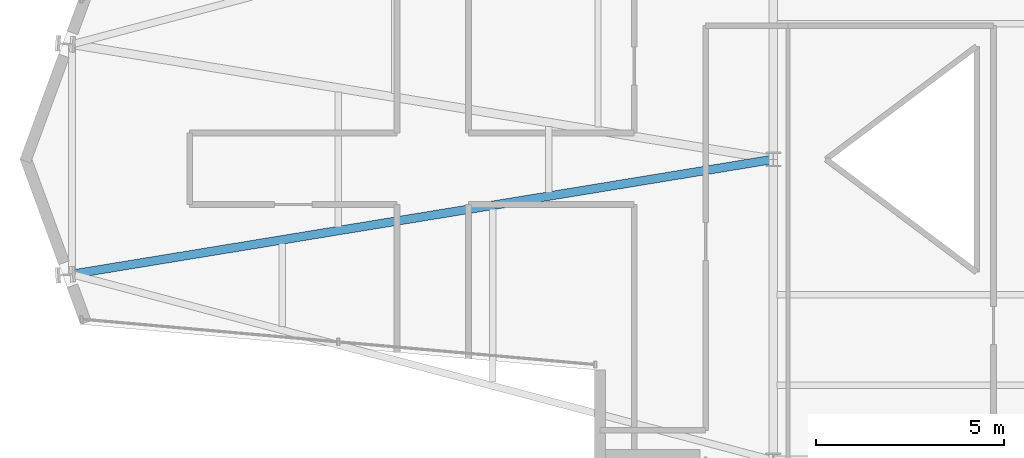
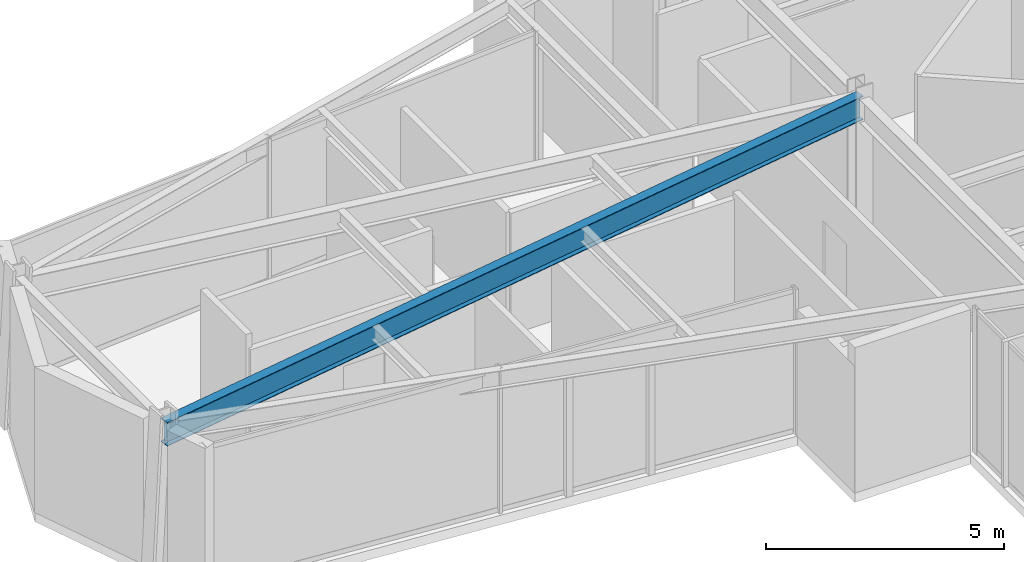
# One storey, part 5 of 23: 1 beam.
"""IFC4 building model written with IfcOpenShell, lengths in metres."""

from ifc_helpers import new_model, si_unit, direction, frame, origin, origin_2d, place, context, subcontext, project, spatial, i_section, extrude, material, material_profile, profile_set, type_object, element, save


model = new_model("IFC4")

# Units and contexts
model_context = context("Model", 3, precision=1e-05, world=origin(), true_north=direction((0.0, 1.0)))
body_context = subcontext(model_context, "Body", "Model", "MODEL_VIEW")
ifc_project = project(units=[si_unit("LENGTHUNIT", "METRE"), si_unit("AREAUNIT", "SQUARE_METRE"), si_unit("VOLUMEUNIT", "CUBIC_METRE"), si_unit("PLANEANGLEUNIT", "RADIAN"), si_unit("MASSUNIT", "GRAM", prefix="KILO")], contexts=[model_context])

# Site, building, storey
site_placement = place(None, origin())
site = spatial("IfcSite", under=ifc_project, at=site_placement, CompositionType="ELEMENT")
building_placement = place(site_placement, origin())
building = spatial("IfcBuilding", under=site, at=building_placement, Name="Veymaron Broadcast Tower", CompositionType="ELEMENT")
storey_placement = place(building_placement, frame((0.0, 0.0, 177.60009765625)))
storey = spatial("IfcBuildingStorey", under=building, at=storey_placement, Name="L41", CompositionType="ELEMENT", Elevation=177.60009765625)

# Beam
ifc_material = material(Name="Structural steel ASTM A992 Gr 50", Category="steel")
ifc_material_profile = material_profile(ifc_material, i_section(OverallWidth=0.22802734375, OverallDepth=0.60791015625, WebThickness=0.01123046875, FlangeThickness=0.017333984375, at=origin_2d()), Name="W610X113")
ifc_profile_set = profile_set([ifc_material_profile], Name="Structural steel ASTM A992 Gr 50")
beam_type = type_object("IfcBeamType", Name="BM-FG2", PredefinedType="BEAM", material=ifc_profile_set)
beam_placement = place(storey_placement, frame((12.56103515625, 20.945068359375, 3.42578125), z_axis=(0.986832975688, 0.161742629181, 0.0), x_axis=(-0.161742629181, 0.986832975688, 0.0)))
element("IfcBeam", 1, at=beam_placement, inside=storey, type_object=beam_type, Name="L41 primary structural floor girder", PredefinedType="BEAM", context=body_context, shape_type="SweptSolid", body=[
    extrude(i_section(OverallWidth=0.22802734375, OverallDepth=0.60791015625, WebThickness=0.01123046875, FlangeThickness=0.017333984375, at=origin_2d()), origin(), (0.0, 0.0, 1.0), 18.8876953125),
])

save(model, "model.ifc")
